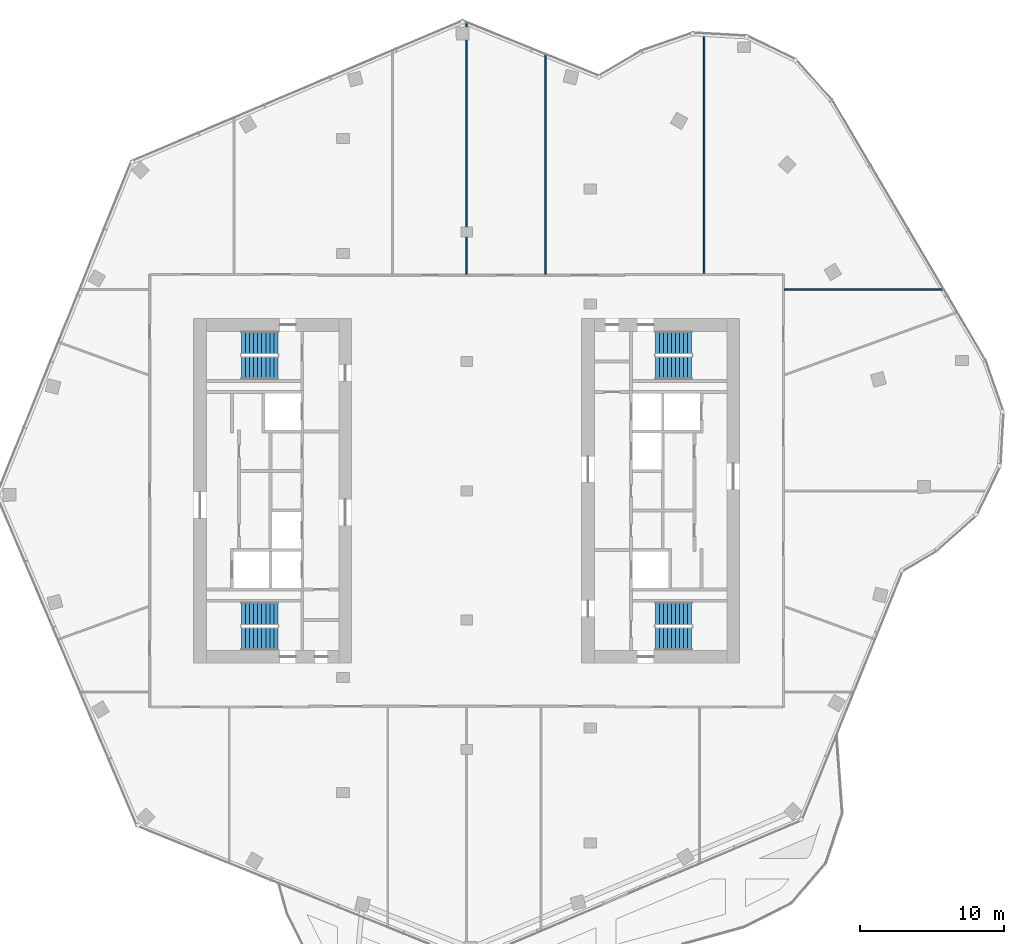
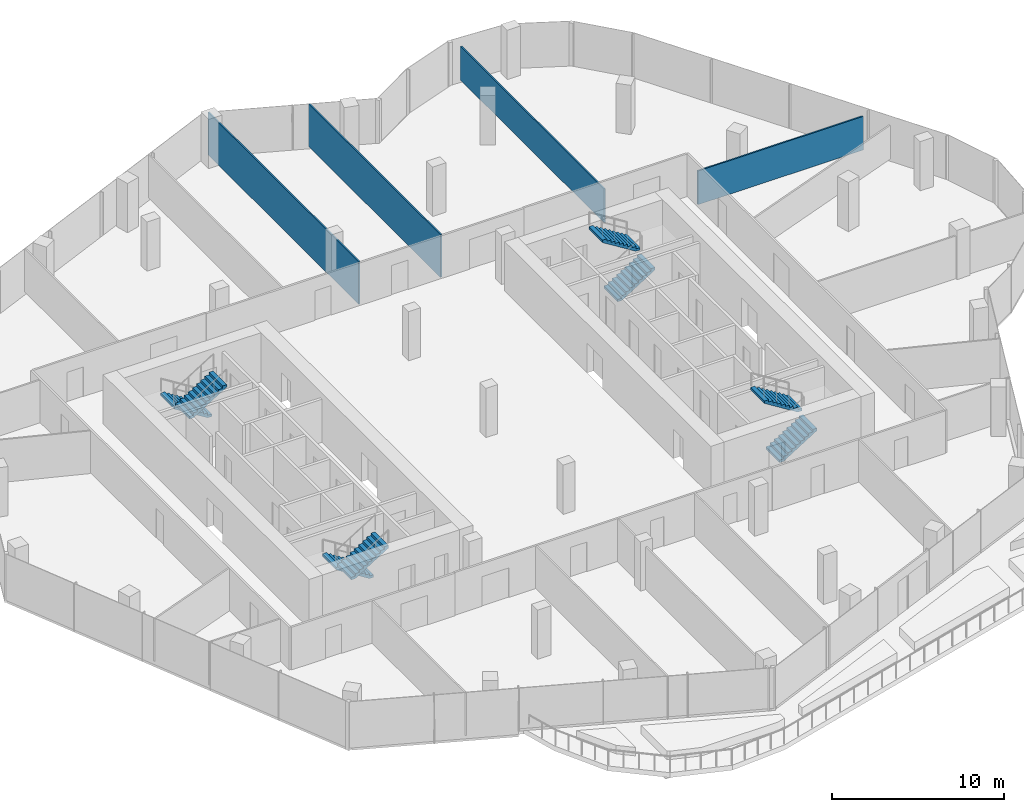
# One storey, part 15 of 17: 8 stair flights, 4 walls, 4 elements without a shape of their own.
"""IFC4 building model written with IfcOpenShell, lengths in metres."""

from ifc_helpers import new_model, si_unit, direction, frame, frame_2d, origin, place, context, subcontext, project, spatial, polyline, rectangle, outline, extrude, material, layer, layer_set, type_object, element, aggregate, save


model = new_model("IFC4")

# Units and contexts
model_context = context("Model", 3, precision=1e-05, world=origin(), true_north=direction((0.0, 1.0)))
body_context = subcontext(model_context, "Body", "Model", "MODEL_VIEW")
ifc_project = project(units=[si_unit("LENGTHUNIT", "METRE"), si_unit("AREAUNIT", "SQUARE_METRE"), si_unit("VOLUMEUNIT", "CUBIC_METRE"), si_unit("PLANEANGLEUNIT", "RADIAN"), si_unit("MASSUNIT", "GRAM", prefix="KILO")], contexts=[model_context])

# Site, building, storey
site_placement = place(None, origin())
site = spatial("IfcSite", under=ifc_project, at=site_placement, CompositionType="ELEMENT")
building_placement = place(site_placement, origin())
building = spatial("IfcBuilding", under=site, at=building_placement, Name="Orlundy Tower", CompositionType="ELEMENT")
storey_placement = place(building_placement, frame((0.0, 0.0, 296.39990234375)))
storey = spatial("IfcBuildingStorey", under=building, at=storey_placement, Name="L79", CompositionType="ELEMENT", Elevation=296.39990234375)

# Walls
ifc_material_1 = material(Name="Gypsum board partition")
ifc_layer_1 = layer(ifc_material_1, 0.10009765625)
ifc_layer_set_1 = layer_set([ifc_layer_1], Name="Floor partition 100")
wall_type_1 = type_object("IfcWallType", Name="Floor partition 100", PredefinedType="PARTITIONING", material=ifc_layer_set_1)
wall_1_placement = place(storey_placement, frame((5.4951171875, 15.06298828125, 0.0), z_axis=(0.0, 0.0, 1.0), x_axis=(0.0, 1.0, 0.0)))
element("IfcWall", 1, at=wall_1_placement, inside=storey, type_object=wall_type_1, Name="wall-int-L79-019", PredefinedType="PARTITIONING", context=body_context, shape_type="SweptSolid", body=[
    extrude(rectangle(XDim=15.343017578125, YDim=0.10009765625, at=frame_2d((7.67138671875, 0.0))), origin(), (0.0, 0.0, 1.0), 3.030029296875),
])
wall_2_placement = place(storey_placement, frame((0.0, 15.06298828125, 0.0), z_axis=(0.0, 0.0, 1.0), x_axis=(0.0, 1.0, 0.0)))
element("IfcWall", 2, at=wall_2_placement, inside=storey, type_object=wall_type_1, Name="wall-int-L79-022", PredefinedType="PARTITIONING", context=body_context, shape_type="SweptSolid", body=[
    extrude(rectangle(XDim=17.56396484375, YDim=0.10009765625, at=frame_2d((8.781982421875, 0.0))), origin(), (0.0, 0.0, 1.0), 3.030029296875),
])
ifc_material_2 = material(Name="Gypsum board partition")
ifc_layer_2 = layer(ifc_material_2, 0.10009765625)
ifc_layer_set_2 = layer_set([ifc_layer_2], Name="Floor partition 100 B")
wall_type_2 = type_object("IfcWallType", Name="Floor partition 100 B", PredefinedType="PARTITIONING", material=ifc_layer_set_2)
wall_3_placement = place(storey_placement, frame((22.113037109375, 14.0, 0.0), z_axis=(0.0, 0.0, 1.0), x_axis=(1.0, 0.0, 0.0)))
element("IfcWall", 3, at=wall_3_placement, inside=storey, type_object=wall_type_2, Name="wall-int-L79-010", PredefinedType="PARTITIONING", context=body_context, shape_type="SweptSolid", body=[
    extrude(rectangle(XDim=11.132080078125, YDim=0.10009765625, at=frame_2d((5.56591796875, 0.0))), origin(), (0.0, 0.0, 1.0), 2.39501953125),
])
wall_4_placement = place(storey_placement, frame((16.52099609375, 15.114013671875, 0.0), z_axis=(0.0, 0.0, 1.0), x_axis=(0.0, 1.0, 0.0)))
element("IfcWall", 4, at=wall_4_placement, inside=storey, type_object=wall_type_2, Name="wall-int-L79-017", PredefinedType="PARTITIONING", context=body_context, shape_type="SweptSolid", body=[
    extrude(rectangle(XDim=16.742919921875, YDim=0.10009765625, at=frame_2d((8.37158203125, 0.0))), origin(), (0.0, 0.0, 1.0), 2.39501953125),
])

# Stair, stair flights
ifc_material_3 = material(Name="Concrete C50/60", Category="concrete")
stair_type = type_object("IfcStairType", Name="Exit Stair 20 risers", PredefinedType="HALF_TURN_STAIR", material=ifc_material_3)
stair_1_placement = place(storey_placement, origin())
stair_1 = element("IfcStair", 5, at=stair_1_placement, inside=storey, type_object=stair_type, Name="L79 Exit Stair ST-W1", PredefinedType="HALF_TURN_STAIR")
ifc_material_4 = material(Name="Concrete C50/60", Category="concrete")
stair_flight_type = type_object("IfcStairFlightType", Name="Stair Flight 10 risers", PredefinedType="STRAIGHT", material=ifc_material_4)
stair_flight_1_placement = place(storey_placement, frame((-13.139892578125, 10.300048828125, 0.0), z_axis=(0.0, 0.0, 1.0), x_axis=(-1.0, 0.0, 0.0)))
stair_flight_1 = element("IfcStairFlight", 6, at=stair_flight_1_placement, type_object=stair_flight_type, Name="ST-W1 flight 1", NumberOfRisers=10, NumberOfTreads=9, PredefinedType="STRAIGHT", RiserHeight=0.175, TreadLength=0.28, context=body_context, shape_type="SweptSolid", body=[
    extrude(outline(polyline([(0.0, 0.0), (0.0, 0.175048828125), (0.280029296875, 0.175048828125), (0.280029296875, 0.35009765625), (0.56005859375, 0.35009765625), (0.56005859375, 0.52490234375), (0.840087890625, 0.52490234375), (0.840087890625, 0.699951171875), (1.1201171875, 0.699951171875), (1.1201171875, 0.875), (1.39990234375, 0.875), (1.39990234375, 1.050048828125), (1.679931640625, 1.050048828125), (1.679931640625, 1.22509765625), (1.9599609375, 1.22509765625), (1.9599609375, 1.39990234375), (2.239990234375, 1.39990234375), (2.239990234375, 1.574951171875), (2.52001953125, 1.574951171875), (2.52001953125, 1.75), (2.52001953125, 1.398193359375), (0.28271484375, 0.0), (0.0, 0.0)])), frame((0.0, 0.800048828125, 0.0), z_axis=(0.0, -1.0, 0.0), x_axis=(1.0, 0.0, 0.0)), (0.0, 0.0, 1.0), 1.60009765625),
])
stair_flight_2_placement = place(storey_placement, frame((-15.659912109375, 8.550048828125, 1.75), z_axis=(0.0, 0.0, 1.0), x_axis=(1.0, 0.0, 0.0)))
stair_flight_2 = element("IfcStairFlight", 7, at=stair_flight_2_placement, type_object=stair_flight_type, Name="ST-W1 flight 2", NumberOfRisers=10, NumberOfTreads=9, PredefinedType="STRAIGHT", RiserHeight=0.175, TreadLength=0.28, context=body_context, shape_type="SweptSolid", body=[
    extrude(outline(polyline([(0.0, 0.0), (0.0, 0.175048828125), (0.280029296875, 0.175048828125), (0.280029296875, 0.35009765625), (0.56005859375, 0.35009765625), (0.56005859375, 0.52490234375), (0.840087890625, 0.52490234375), (0.840087890625, 0.699951171875), (1.1201171875, 0.699951171875), (1.1201171875, 0.875), (1.39990234375, 0.875), (1.39990234375, 1.050048828125), (1.679931640625, 1.050048828125), (1.679931640625, 1.22509765625), (1.9599609375, 1.22509765625), (1.9599609375, 1.39990234375), (2.239990234375, 1.39990234375), (2.239990234375, 1.574951171875), (2.52001953125, 1.574951171875), (2.52001953125, 1.75), (2.52001953125, 1.398193359375), (0.28271484375, 0.0), (0.0, 0.0)])), frame((0.0, 0.800048828125, 0.0), z_axis=(0.0, -1.0, 0.0), x_axis=(1.0, 0.0, 0.0)), (0.0, 0.0, 1.0), 1.60009765625),
])
aggregate(stair_1, [stair_flight_1, stair_flight_2])

stair_2_placement = place(storey_placement, origin())
stair_2 = element("IfcStair", 8, at=stair_2_placement, inside=storey, type_object=stair_type, Name="L79 Exit Stair ST-W2", PredefinedType="HALF_TURN_STAIR")
stair_flight_3_placement = place(storey_placement, frame((-13.139892578125, -8.550048828125, 0.0), z_axis=(0.0, 0.0, 1.0), x_axis=(-1.0, 0.0, 0.0)))
stair_flight_3 = element("IfcStairFlight", 9, at=stair_flight_3_placement, type_object=stair_flight_type, Name="ST-W2 flight 1", NumberOfRisers=10, NumberOfTreads=9, PredefinedType="STRAIGHT", RiserHeight=0.175, TreadLength=0.28, context=body_context, shape_type="SweptSolid", body=[
    extrude(outline(polyline([(0.0, 0.0), (0.0, 0.175048828125), (0.280029296875, 0.175048828125), (0.280029296875, 0.35009765625), (0.56005859375, 0.35009765625), (0.56005859375, 0.52490234375), (0.840087890625, 0.52490234375), (0.840087890625, 0.699951171875), (1.1201171875, 0.699951171875), (1.1201171875, 0.875), (1.39990234375, 0.875), (1.39990234375, 1.050048828125), (1.679931640625, 1.050048828125), (1.679931640625, 1.22509765625), (1.9599609375, 1.22509765625), (1.9599609375, 1.39990234375), (2.239990234375, 1.39990234375), (2.239990234375, 1.574951171875), (2.52001953125, 1.574951171875), (2.52001953125, 1.75), (2.52001953125, 1.398193359375), (0.28271484375, 0.0), (0.0, 0.0)])), frame((0.0, 0.800048828125, 0.0), z_axis=(0.0, -1.0, 0.0), x_axis=(1.0, 0.0, 0.0)), (0.0, 0.0, 1.0), 1.60009765625),
])
stair_flight_4_placement = place(storey_placement, frame((-15.659912109375, -10.300048828125, 1.75), z_axis=(0.0, 0.0, 1.0), x_axis=(1.0, 0.0, 0.0)))
stair_flight_4 = element("IfcStairFlight", 10, at=stair_flight_4_placement, type_object=stair_flight_type, Name="ST-W2 flight 2", NumberOfRisers=10, NumberOfTreads=9, PredefinedType="STRAIGHT", RiserHeight=0.175, TreadLength=0.28, context=body_context, shape_type="SweptSolid", body=[
    extrude(outline(polyline([(0.0, 0.0), (0.0, 0.175048828125), (0.280029296875, 0.175048828125), (0.280029296875, 0.35009765625), (0.56005859375, 0.35009765625), (0.56005859375, 0.52490234375), (0.840087890625, 0.52490234375), (0.840087890625, 0.699951171875), (1.1201171875, 0.699951171875), (1.1201171875, 0.875), (1.39990234375, 0.875), (1.39990234375, 1.050048828125), (1.679931640625, 1.050048828125), (1.679931640625, 1.22509765625), (1.9599609375, 1.22509765625), (1.9599609375, 1.39990234375), (2.239990234375, 1.39990234375), (2.239990234375, 1.574951171875), (2.52001953125, 1.574951171875), (2.52001953125, 1.75), (2.52001953125, 1.398193359375), (0.28271484375, 0.0), (0.0, 0.0)])), frame((0.0, 0.800048828125, 0.0), z_axis=(0.0, -1.0, 0.0), x_axis=(1.0, 0.0, 0.0)), (0.0, 0.0, 1.0), 1.60009765625),
])
aggregate(stair_2, [stair_flight_3, stair_flight_4])

stair_3_placement = place(storey_placement, origin())
stair_3 = element("IfcStair", 11, at=stair_3_placement, inside=storey, type_object=stair_type, Name="L79 Exit Stair ST-E1", PredefinedType="HALF_TURN_STAIR")
stair_flight_5_placement = place(storey_placement, frame((13.139892578125, -10.300048828125, 0.0), z_axis=(0.0, 0.0, 1.0), x_axis=(1.0, 0.0, 0.0)))
stair_flight_5 = element("IfcStairFlight", 12, at=stair_flight_5_placement, type_object=stair_flight_type, Name="ST-E1 flight 1", NumberOfRisers=10, NumberOfTreads=9, PredefinedType="STRAIGHT", RiserHeight=0.175, TreadLength=0.28, context=body_context, shape_type="SweptSolid", body=[
    extrude(outline(polyline([(0.0, 0.0), (0.0, 0.175048828125), (0.280029296875, 0.175048828125), (0.280029296875, 0.35009765625), (0.56005859375, 0.35009765625), (0.56005859375, 0.52490234375), (0.840087890625, 0.52490234375), (0.840087890625, 0.699951171875), (1.1201171875, 0.699951171875), (1.1201171875, 0.875), (1.39990234375, 0.875), (1.39990234375, 1.050048828125), (1.679931640625, 1.050048828125), (1.679931640625, 1.22509765625), (1.9599609375, 1.22509765625), (1.9599609375, 1.39990234375), (2.239990234375, 1.39990234375), (2.239990234375, 1.574951171875), (2.52001953125, 1.574951171875), (2.52001953125, 1.75), (2.52001953125, 1.398193359375), (0.28271484375, 0.0), (0.0, 0.0)])), frame((0.0, 0.800048828125, 0.0), z_axis=(0.0, -1.0, 0.0), x_axis=(1.0, 0.0, 0.0)), (0.0, 0.0, 1.0), 1.60009765625),
])
stair_flight_6_placement = place(storey_placement, frame((15.659912109375, -8.550048828125, 1.75), z_axis=(0.0, 0.0, 1.0), x_axis=(-1.0, 0.0, 0.0)))
stair_flight_6 = element("IfcStairFlight", 13, at=stair_flight_6_placement, type_object=stair_flight_type, Name="ST-E1 flight 2", NumberOfRisers=10, NumberOfTreads=9, PredefinedType="STRAIGHT", RiserHeight=0.175, TreadLength=0.28, context=body_context, shape_type="SweptSolid", body=[
    extrude(outline(polyline([(0.0, 0.0), (0.0, 0.175048828125), (0.280029296875, 0.175048828125), (0.280029296875, 0.35009765625), (0.56005859375, 0.35009765625), (0.56005859375, 0.52490234375), (0.840087890625, 0.52490234375), (0.840087890625, 0.699951171875), (1.1201171875, 0.699951171875), (1.1201171875, 0.875), (1.39990234375, 0.875), (1.39990234375, 1.050048828125), (1.679931640625, 1.050048828125), (1.679931640625, 1.22509765625), (1.9599609375, 1.22509765625), (1.9599609375, 1.39990234375), (2.239990234375, 1.39990234375), (2.239990234375, 1.574951171875), (2.52001953125, 1.574951171875), (2.52001953125, 1.75), (2.52001953125, 1.398193359375), (0.28271484375, 0.0), (0.0, 0.0)])), frame((0.0, 0.800048828125, 0.0), z_axis=(0.0, -1.0, 0.0), x_axis=(1.0, 0.0, 0.0)), (0.0, 0.0, 1.0), 1.60009765625),
])
aggregate(stair_3, [stair_flight_5, stair_flight_6])

stair_4_placement = place(storey_placement, origin())
stair_4 = element("IfcStair", 14, at=stair_4_placement, inside=storey, type_object=stair_type, Name="L79 Exit Stair ST-E2", PredefinedType="HALF_TURN_STAIR")
stair_flight_7_placement = place(storey_placement, frame((13.139892578125, 8.550048828125, 0.0), z_axis=(0.0, 0.0, 1.0), x_axis=(1.0, 0.0, 0.0)))
stair_flight_7 = element("IfcStairFlight", 15, at=stair_flight_7_placement, type_object=stair_flight_type, Name="ST-E2 flight 1", NumberOfRisers=10, NumberOfTreads=9, PredefinedType="STRAIGHT", RiserHeight=0.175, TreadLength=0.28, context=body_context, shape_type="SweptSolid", body=[
    extrude(outline(polyline([(0.0, 0.0), (0.0, 0.175048828125), (0.280029296875, 0.175048828125), (0.280029296875, 0.35009765625), (0.56005859375, 0.35009765625), (0.56005859375, 0.52490234375), (0.840087890625, 0.52490234375), (0.840087890625, 0.699951171875), (1.1201171875, 0.699951171875), (1.1201171875, 0.875), (1.39990234375, 0.875), (1.39990234375, 1.050048828125), (1.679931640625, 1.050048828125), (1.679931640625, 1.22509765625), (1.9599609375, 1.22509765625), (1.9599609375, 1.39990234375), (2.239990234375, 1.39990234375), (2.239990234375, 1.574951171875), (2.52001953125, 1.574951171875), (2.52001953125, 1.75), (2.52001953125, 1.398193359375), (0.28271484375, 0.0), (0.0, 0.0)])), frame((0.0, 0.800048828125, 0.0), z_axis=(0.0, -1.0, 0.0), x_axis=(1.0, 0.0, 0.0)), (0.0, 0.0, 1.0), 1.60009765625),
])
stair_flight_8_placement = place(storey_placement, frame((15.659912109375, 10.300048828125, 1.75), z_axis=(0.0, 0.0, 1.0), x_axis=(-1.0, 0.0, 0.0)))
stair_flight_8 = element("IfcStairFlight", 16, at=stair_flight_8_placement, type_object=stair_flight_type, Name="ST-E2 flight 2", NumberOfRisers=10, NumberOfTreads=9, PredefinedType="STRAIGHT", RiserHeight=0.175, TreadLength=0.28, context=body_context, shape_type="SweptSolid", body=[
    extrude(outline(polyline([(0.0, 0.0), (0.0, 0.175048828125), (0.280029296875, 0.175048828125), (0.280029296875, 0.35009765625), (0.56005859375, 0.35009765625), (0.56005859375, 0.52490234375), (0.840087890625, 0.52490234375), (0.840087890625, 0.699951171875), (1.1201171875, 0.699951171875), (1.1201171875, 0.875), (1.39990234375, 0.875), (1.39990234375, 1.050048828125), (1.679931640625, 1.050048828125), (1.679931640625, 1.22509765625), (1.9599609375, 1.22509765625), (1.9599609375, 1.39990234375), (2.239990234375, 1.39990234375), (2.239990234375, 1.574951171875), (2.52001953125, 1.574951171875), (2.52001953125, 1.75), (2.52001953125, 1.398193359375), (0.28271484375, 0.0), (0.0, 0.0)])), frame((0.0, 0.800048828125, 0.0), z_axis=(0.0, -1.0, 0.0), x_axis=(1.0, 0.0, 0.0)), (0.0, 0.0, 1.0), 1.60009765625),
])
aggregate(stair_4, [stair_flight_7, stair_flight_8])

save(model, "model.ifc")
